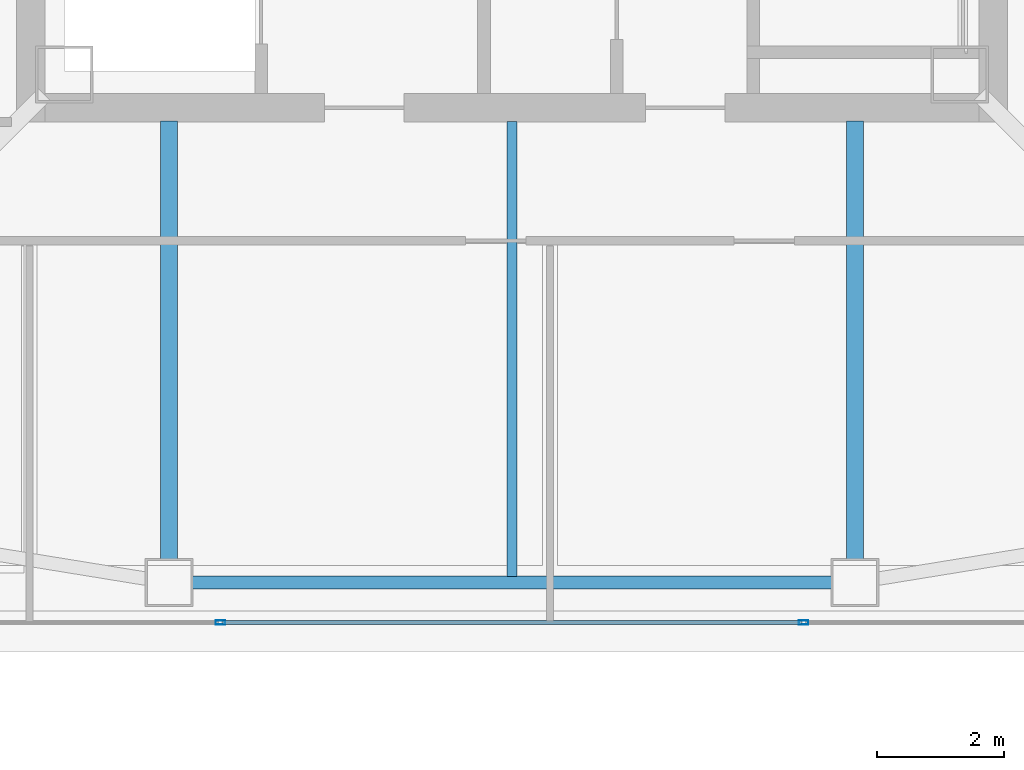
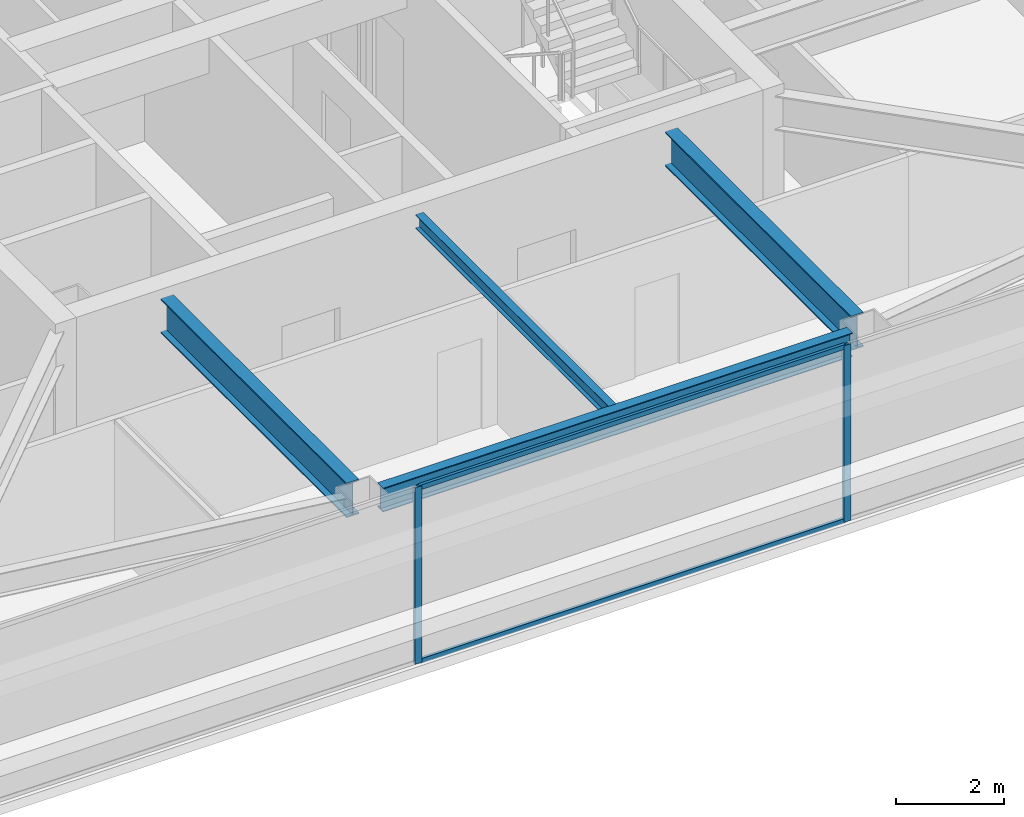
# One storey, part 10 of 53: 4 beams, 4 members, 1 element without a shape of its own.
"""IFC4 building model written with IfcOpenShell, lengths in metres."""

from ifc_helpers import new_model, si_unit, direction, frame, origin, origin_2d, place, context, subcontext, project, spatial, hollow_rectangle, i_section, extrude, material, material_profile, profile_set, type_object, element, aggregate, save


model = new_model("IFC4")

# Units and contexts
model_context = context("Model", 3, precision=1e-05, world=origin(), true_north=direction((0.0, 1.0)))
body_context = subcontext(model_context, "Body", "Model", "MODEL_VIEW")
ifc_project = project(units=[si_unit("LENGTHUNIT", "METRE"), si_unit("AREAUNIT", "SQUARE_METRE"), si_unit("VOLUMEUNIT", "CUBIC_METRE"), si_unit("PLANEANGLEUNIT", "RADIAN"), si_unit("MASSUNIT", "GRAM", prefix="KILO")], contexts=[model_context])

# Site, building, storey
site_placement = place(None, origin())
site = spatial("IfcSite", under=ifc_project, at=site_placement, CompositionType="ELEMENT")
building_placement = place(site_placement, origin())
building = spatial("IfcBuilding", under=site, at=building_placement, Name="Tashvorn Skyway Center", CompositionType="ELEMENT")
storey_placement = place(building_placement, frame((0.0, 0.0, 255.39990234375)))
storey = spatial("IfcBuildingStorey", under=building, at=storey_placement, Name="L69", CompositionType="ELEMENT", Elevation=255.39990234375)

# Beams
ifc_material_1 = material(Name="Steel ASTM A992 Grade 50", Category="steel")
ifc_material_profile_1 = material_profile(ifc_material_1, i_section(OverallWidth=0.26708984375, OverallDepth=0.779052734375, WebThickness=0.0166015625, FlangeThickness=0.030029296875, at=origin_2d()), Name="W30X148")
ifc_profile_set_1 = profile_set([ifc_material_profile_1], Name="Steel ASTM A992 Grade 50")
beam_type_1 = type_object("IfcBeamType", Name="BM-BEAM-W30X148", PredefinedType="BEAM", material=ifc_profile_set_1)
for number, where, z_axis, x_axis, name in (
    (1, (36.60009765625, 17.320068359375, 3.390625), (0.0, 1.0, 0.0), (-1.0, 0.0, 0.0), "Tower 1 L69 Primary Floor Girder FC-S1"),
    (2, (47.39990234375, 17.320068359375, 3.390625), (0.0, 1.0, 0.0), (-1.0, 0.0, 0.0), "Tower 1 L69 Primary Floor Girder FC-S2"),
):
    element("IfcBeam", number, at=place(storey_placement, frame(where, z_axis=z_axis, x_axis=x_axis)), inside=storey, type_object=beam_type_1, Name=name, PredefinedType="BEAM", context=body_context, shape_type="SweptSolid", body=[
        extrude(i_section(OverallWidth=0.26708984375, OverallDepth=0.779052734375, WebThickness=0.0166015625, FlangeThickness=0.030029296875, at=origin_2d()), origin(), (0.0, 0.0, 1.0), 6.89990234375),
    ])
ifc_material_profile_2 = material_profile(ifc_material_1, i_section(OverallWidth=0.1650390625, OverallDepth=0.31005859375, WebThickness=0.005859375, FlangeThickness=0.009765625, at=origin_2d()), Name="W12X26")
ifc_profile_set_2 = profile_set([ifc_material_profile_2], Name="Steel ASTM A992 Grade 50")
beam_type_2 = type_object("IfcBeamType", Name="BM-JOIST-W12X26", PredefinedType="JOIST", material=ifc_profile_set_2)
beam_1_placement = place(storey_placement, frame((42.0, 24.2099609375, 3.625), z_axis=(0.0, -1.0, 0.0), x_axis=(1.0, 0.0, 0.0)))
element("IfcBeam", 3, at=beam_1_placement, inside=storey, type_object=beam_type_2, Name="Tower 1 L69 Secondary Composite Joist JS", PredefinedType="JOIST", context=body_context, shape_type="SweptSolid", body=[
    extrude(i_section(OverallWidth=0.1650390625, OverallDepth=0.31005859375, WebThickness=0.005859375, FlangeThickness=0.009765625, at=origin_2d()), origin(), (0.0, 0.0, 1.0), 7.162353515625),
])
ifc_material_profile_3 = material_profile(ifc_material_1, i_section(OverallWidth=0.2109375, OverallDepth=0.5390625, WebThickness=0.01171875, FlangeThickness=0.018798828125, at=origin_2d()), Name="W21X73")
ifc_profile_set_3 = profile_set([ifc_material_profile_3], Name="Steel ASTM A992 Grade 50")
beam_type_3 = type_object("IfcBeamType", Name="BM-SPANDREL-W21X73", PredefinedType="SPANDREL", material=ifc_profile_set_3)
beam_2_placement = place(storey_placement, frame((36.969970703125, 16.949951171875, 3.510498046875), z_axis=(1.0, 0.0, 0.0), x_axis=(0.0, 1.0, 0.0)))
element("IfcBeam", 4, at=beam_2_placement, inside=storey, type_object=beam_type_3, Name="Tower 1 L69 Spandrel Beam 02", PredefinedType="SPANDREL", context=body_context, shape_type="SweptSolid", body=[
    extrude(i_section(OverallWidth=0.2109375, OverallDepth=0.5390625, WebThickness=0.01171875, FlangeThickness=0.018798828125, at=origin_2d()), origin(), (0.0, 0.0, 1.0), 10.06005859375),
])

# Curtain wall, members
ifc_material_2 = material(Name="Thermally broken bronze-anodized aluminium 6063-T6", Category="aluminium")
curtain_wall_type = type_object("IfcCurtainWallType", Name="CW-CW-SKY", PredefinedType="NOTDEFINED", material=ifc_material_2)
curtain_wall_placement = place(storey_placement, origin())
curtain_wall = element("IfcCurtainWall", 5, at=curtain_wall_placement, inside=storey, type_object=curtain_wall_type, Name="Tower 1 L69 South Unitised Curtain Wall", PredefinedType="NOTDEFINED")
ifc_material_profile_4 = material_profile(ifc_material_2, hollow_rectangle(XDim=0.06494140625, YDim=0.14990234375, WallThickness=0.00390625, at=origin_2d()), Name="ALU-MULL-65x150")
ifc_profile_set_4 = profile_set([ifc_material_profile_4], Name="Thermally broken bronze-anodized aluminium 6063-T6")
member_type_1 = type_object("IfcMemberType", Name="CWM-CW-SKY", PredefinedType="MULLION", material=ifc_profile_set_4)
member_1_placement = place(storey_placement, frame((46.59326171875, 16.320068359375, 0.0), z_axis=(0.0, 0.0, 1.0), x_axis=(0.0, -1.0, 0.0)))
member_1 = element("IfcMember", 6, at=member_1_placement, type_object=member_type_1, Name="CW-SKY mullion 2", PredefinedType="MULLION", context=body_context, shape_type="SweptSolid", body=[
    extrude(hollow_rectangle(XDim=0.06494140625, YDim=0.14990234375, WallThickness=0.00390625, at=origin_2d()), origin(), (0.0, 0.0, 1.0), 4.0),
])
member_2_placement = place(storey_placement, frame((37.40673828125, 16.320068359375, 0.0), z_axis=(0.0, 0.0, 1.0), x_axis=(0.0, -1.0, 0.0)))
member_2 = element("IfcMember", 7, at=member_2_placement, type_object=member_type_1, Name="CW-SKY mullion 3", PredefinedType="MULLION", context=body_context, shape_type="SweptSolid", body=[
    extrude(hollow_rectangle(XDim=0.06494140625, YDim=0.14990234375, WallThickness=0.00390625, at=origin_2d()), origin(), (0.0, 0.0, 1.0), 4.0),
])
ifc_material_profile_5 = material_profile(ifc_material_2, hollow_rectangle(XDim=0.06494140625, YDim=0.10498046875, WallThickness=0.00390625, at=origin_2d()), Name="ALU-TRAN-65x105")
ifc_profile_set_5 = profile_set([ifc_material_profile_5], Name="Thermally broken bronze-anodized aluminium 6063-T6")
member_type_2 = type_object("IfcMemberType", Name="CWT-CW-SKY", PredefinedType="USERDEFINED", material=ifc_profile_set_5)
member_3_placement = place(storey_placement, frame((46.560791015625, 16.320068359375, 0.03271484375), z_axis=(-1.0, 0.0, 0.0), x_axis=(0.0, -1.0, 0.0)))
member_3 = element("IfcMember", 8, at=member_3_placement, type_object=member_type_2, Name="CW-SKY transom 2.1", ObjectType="TRANSOM", PredefinedType="USERDEFINED", context=body_context, shape_type="SweptSolid", body=[
    extrude(hollow_rectangle(XDim=0.06494140625, YDim=0.10498046875, WallThickness=0.00390625, at=origin_2d()), origin(), (0.0, 0.0, 1.0), 9.12158203125),
])
member_4_placement = place(storey_placement, frame((46.560791015625, 16.320068359375, 3.967529296875), z_axis=(-1.0, 0.0, 0.0), x_axis=(0.0, -1.0, 0.0)))
member_4 = element("IfcMember", 9, at=member_4_placement, type_object=member_type_2, Name="CW-SKY transom 2.2", ObjectType="TRANSOM", PredefinedType="USERDEFINED", context=body_context, shape_type="SweptSolid", body=[
    extrude(hollow_rectangle(XDim=0.06494140625, YDim=0.10498046875, WallThickness=0.00390625, at=origin_2d()), origin(), (0.0, 0.0, 1.0), 9.12158203125),
])
aggregate(curtain_wall, [member_1, member_2, member_3, member_4])

save(model, "model.ifc")
